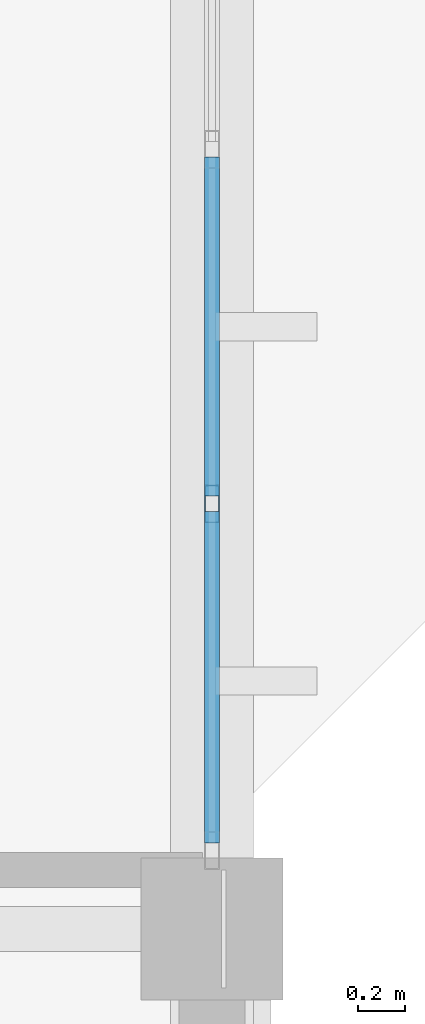
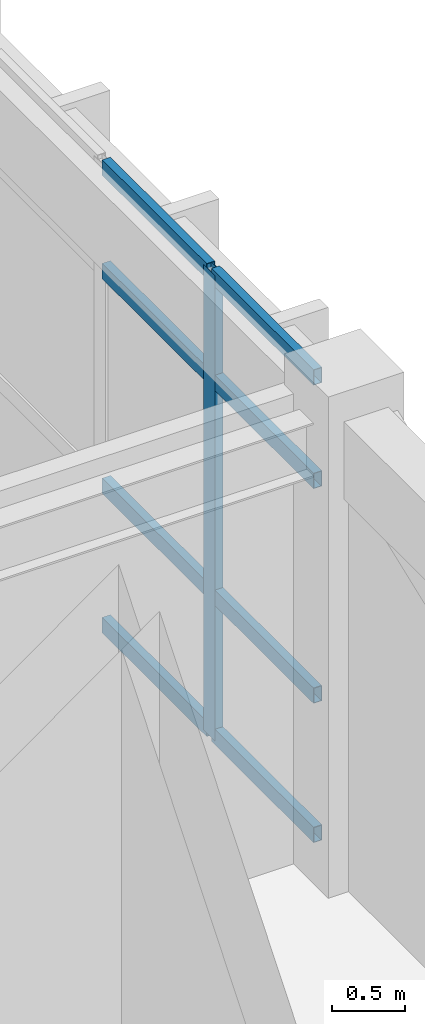
# One storey, part 52 of 83: 9 members, 1 element without a shape of its own.
"""IFC4 building model written with IfcOpenShell, lengths in metres."""

from ifc_helpers import new_model, si_unit, direction, frame, origin, origin_2d, place, context, subcontext, project, spatial, hollow_rectangle, extrude, material, layer, layer_set, material_profile, profile_set, type_object, element, aggregate, save


model = new_model("IFC4")

# Units and contexts
model_context = context("Model", 3, precision=1e-05, world=origin(), true_north=direction((0.0, 1.0)))
body_context = subcontext(model_context, "Body", "Model", "MODEL_VIEW")
ifc_project = project(units=[si_unit("LENGTHUNIT", "METRE"), si_unit("AREAUNIT", "SQUARE_METRE"), si_unit("VOLUMEUNIT", "CUBIC_METRE"), si_unit("PLANEANGLEUNIT", "RADIAN"), si_unit("MASSUNIT", "GRAM", prefix="KILO")], contexts=[model_context])

# Site, building, storey
site_placement = place(None, origin())
site = spatial("IfcSite", under=ifc_project, at=site_placement, CompositionType="ELEMENT")
building_placement = place(site_placement, origin())
building = spatial("IfcBuilding", under=site, at=building_placement, Name="Pandanus Reach Market Hall", CompositionType="ELEMENT")
storey_placement = place(building_placement, frame((0.0, 0.0, 10.199951171875)))
storey = spatial("IfcBuildingStorey", under=building, at=storey_placement, Name="L02", CompositionType="ELEMENT", Elevation=10.199951171875)

# Curtain wall, members
ifc_material_1 = material(Name="Bronze anodised aluminium and low-E glass", Category="aluminium")
ifc_layer = layer(ifc_material_1, 0.159912109375, Name="CW-32")
ifc_layer_set = layer_set([ifc_layer], Name="Bronze anodised aluminium and low-E glass")
curtain_wall_type = type_object("IfcCurtainWallType", Name="CW-32", PredefinedType="NOTDEFINED", material=ifc_layer_set)
curtain_wall_placement = place(storey_placement, origin())
curtain_wall = element("IfcCurtainWall", 1, at=curtain_wall_placement, inside=storey, type_object=curtain_wall_type, Name="Glazed curtain wall CW-32 CW-0108", PredefinedType="NOTDEFINED")
ifc_material_2 = material(Name="Bronze anodised aluminium", Category="aluminium")
ifc_material_profile_1 = material_profile(ifc_material_2, hollow_rectangle(XDim=0.06494140625, YDim=0.159912109375, WallThickness=0.00390625, at=origin_2d()), Name="ALU65x160", Category="LoadBearing")
ifc_profile_set_1 = profile_set([ifc_material_profile_1], Name="Bronze anodised aluminium")
member_type_1 = type_object("IfcMemberType", Name="CW-M1", PredefinedType="MULLION", material=ifc_profile_set_1)
member_1_placement = place(storey_placement, frame((180.0, 78.60009765625, 0.0), z_axis=(0.0, 0.0, 1.0), x_axis=(-1.0, 0.0, 0.0)))
member_1 = element("IfcMember", 2, at=member_1_placement, type_object=member_type_1, Name="CW-32 mullion 2", PredefinedType="MULLION", context=body_context, shape_type="SweptSolid", body=[
    extrude(hollow_rectangle(XDim=0.06494140625, YDim=0.159912109375, WallThickness=0.00390625, at=origin_2d()), origin(), (0.0, 0.0, 1.0), 3.900146484375),
])
ifc_material_profile_2 = material_profile(ifc_material_2, hollow_rectangle(XDim=0.06494140625, YDim=0.1298828125, WallThickness=0.00390625, at=origin_2d()), Name="ALU65x130", Category="LoadBearing")
ifc_profile_set_2 = profile_set([ifc_material_profile_2], Name="Bronze anodised aluminium")
member_type_2 = type_object("IfcMemberType", Name="CW-T1", PredefinedType="USERDEFINED", material=ifc_profile_set_2)
member_2_placement = place(storey_placement, frame((180.0, 77.1650390625, 0.032470703125), z_axis=(0.0, 1.0, 0.0), x_axis=(-1.0, 0.0, 0.0)))
member_2 = element("IfcMember", 3, at=member_2_placement, type_object=member_type_2, Name="CW-32 transom 1.1", ObjectType="TRANSOM", PredefinedType="USERDEFINED", context=body_context, shape_type="SweptSolid", body=[
    extrude(hollow_rectangle(XDim=0.06494140625, YDim=0.1298828125, WallThickness=0.00390625, at=origin_2d()), origin(), (0.0, 0.0, 1.0), 1.40234375),
])
member_3_placement = place(storey_placement, frame((180.0, 77.1650390625, 1.199951171875), z_axis=(0.0, 1.0, 0.0), x_axis=(-1.0, 0.0, 0.0)))
member_3 = element("IfcMember", 4, at=member_3_placement, type_object=member_type_2, Name="CW-32 transom 1.2", ObjectType="TRANSOM", PredefinedType="USERDEFINED", context=body_context, shape_type="SweptSolid", body=[
    extrude(hollow_rectangle(XDim=0.06494140625, YDim=0.1298828125, WallThickness=0.00390625, at=origin_2d()), origin(), (0.0, 0.0, 1.0), 1.40234375),
])
member_4_placement = place(storey_placement, frame((180.0, 77.1650390625, 3.0), z_axis=(0.0, 1.0, 0.0), x_axis=(-1.0, 0.0, 0.0)))
member_4 = element("IfcMember", 5, at=member_4_placement, type_object=member_type_2, Name="CW-32 transom 1.3", ObjectType="TRANSOM", PredefinedType="USERDEFINED", context=body_context, shape_type="SweptSolid", body=[
    extrude(hollow_rectangle(XDim=0.06494140625, YDim=0.1298828125, WallThickness=0.00390625, at=origin_2d()), origin(), (0.0, 0.0, 1.0), 1.40234375),
])
member_5_placement = place(storey_placement, frame((180.0, 77.1650390625, 3.867431640625), z_axis=(0.0, 1.0, 0.0), x_axis=(-1.0, 0.0, 0.0)))
member_5 = element("IfcMember", 6, at=member_5_placement, type_object=member_type_2, Name="CW-32 transom 1.4", ObjectType="TRANSOM", PredefinedType="USERDEFINED", context=body_context, shape_type="SweptSolid", body=[
    extrude(hollow_rectangle(XDim=0.06494140625, YDim=0.1298828125, WallThickness=0.00390625, at=origin_2d()), origin(), (0.0, 0.0, 1.0), 1.40234375),
])
member_6_placement = place(storey_placement, frame((180.0, 78.632568359375, 0.032470703125), z_axis=(0.0, 1.0, 0.0), x_axis=(-1.0, 0.0, 0.0)))
member_6 = element("IfcMember", 7, at=member_6_placement, type_object=member_type_2, Name="CW-32 transom 2.1", ObjectType="TRANSOM", PredefinedType="USERDEFINED", context=body_context, shape_type="SweptSolid", body=[
    extrude(hollow_rectangle(XDim=0.06494140625, YDim=0.1298828125, WallThickness=0.00390625, at=origin_2d()), origin(), (0.0, 0.0, 1.0), 1.434814453125),
])
member_7_placement = place(storey_placement, frame((180.0, 78.632568359375, 1.199951171875), z_axis=(0.0, 1.0, 0.0), x_axis=(-1.0, 0.0, 0.0)))
member_7 = element("IfcMember", 8, at=member_7_placement, type_object=member_type_2, Name="CW-32 transom 2.2", ObjectType="TRANSOM", PredefinedType="USERDEFINED", context=body_context, shape_type="SweptSolid", body=[
    extrude(hollow_rectangle(XDim=0.06494140625, YDim=0.1298828125, WallThickness=0.00390625, at=origin_2d()), origin(), (0.0, 0.0, 1.0), 1.434814453125),
])
member_8_placement = place(storey_placement, frame((180.0, 78.632568359375, 3.0), z_axis=(0.0, 1.0, 0.0), x_axis=(-1.0, 0.0, 0.0)))
member_8 = element("IfcMember", 9, at=member_8_placement, type_object=member_type_2, Name="CW-32 transom 2.3", ObjectType="TRANSOM", PredefinedType="USERDEFINED", context=body_context, shape_type="SweptSolid", body=[
    extrude(hollow_rectangle(XDim=0.06494140625, YDim=0.1298828125, WallThickness=0.00390625, at=origin_2d()), origin(), (0.0, 0.0, 1.0), 1.434814453125),
])
member_9_placement = place(storey_placement, frame((180.0, 78.632568359375, 3.867431640625), z_axis=(0.0, 1.0, 0.0), x_axis=(-1.0, 0.0, 0.0)))
member_9 = element("IfcMember", 10, at=member_9_placement, type_object=member_type_2, Name="CW-32 transom 2.4", ObjectType="TRANSOM", PredefinedType="USERDEFINED", context=body_context, shape_type="SweptSolid", body=[
    extrude(hollow_rectangle(XDim=0.06494140625, YDim=0.1298828125, WallThickness=0.00390625, at=origin_2d()), origin(), (0.0, 0.0, 1.0), 1.434814453125),
])
aggregate(curtain_wall, [member_1, member_2, member_3, member_4, member_5, member_6, member_7, member_8, member_9])

save(model, "model.ifc")
